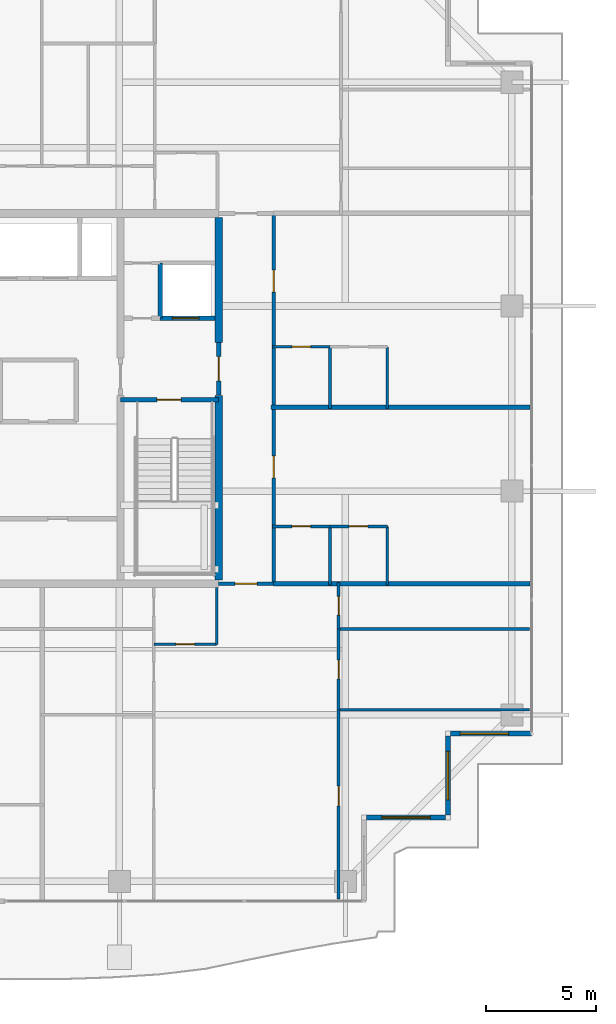
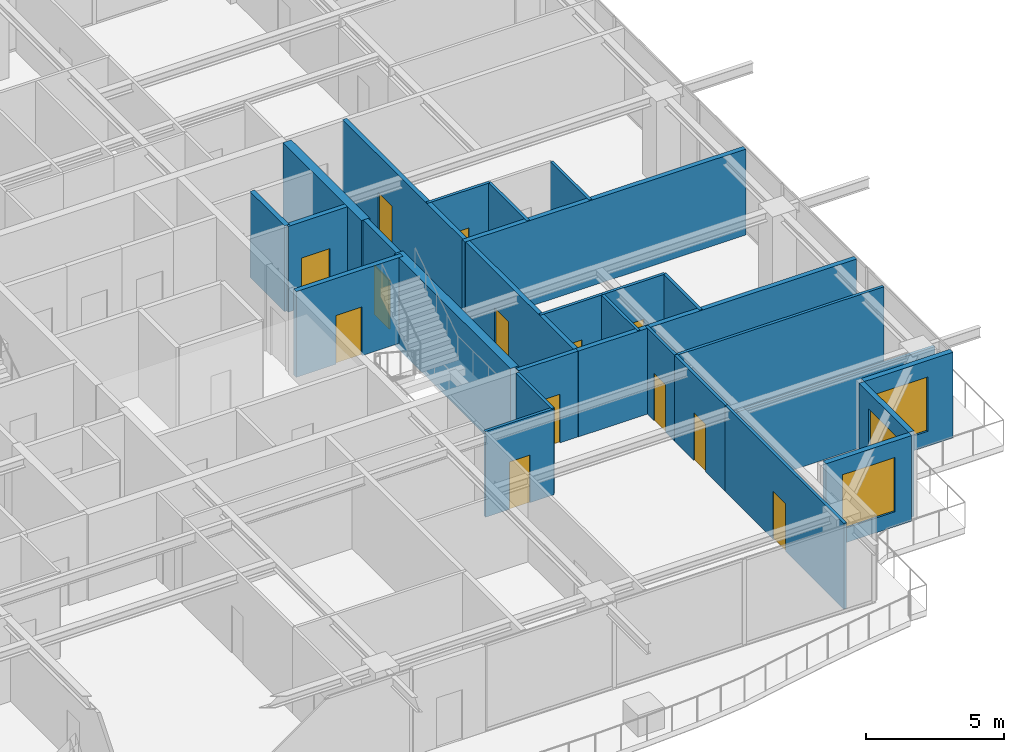
# One storey, part 29 of 38: 27 walls, 13 doors, 3 windows, 16 openings.
"""IFC4 building model written with IfcOpenShell, lengths in metres."""

from ifc_helpers import new_model, si_unit, direction, frame, frame_2d, origin, place, context, subcontext, project, spatial, rectangle, extrude, source, transform, mapped, material, layer, layer_set, type_object, element, fill, save


model = new_model("IFC4")

# Units and contexts
model_context = context("Model", 3, precision=1e-05, world=origin(), true_north=direction((0.0, 1.0)))
body_context = subcontext(model_context, "Body", "Model", "MODEL_VIEW")
ifc_project = project(units=[si_unit("LENGTHUNIT", "METRE"), si_unit("AREAUNIT", "SQUARE_METRE"), si_unit("VOLUMEUNIT", "CUBIC_METRE"), si_unit("PLANEANGLEUNIT", "RADIAN"), si_unit("MASSUNIT", "GRAM", prefix="KILO")], contexts=[model_context])

# Site, building, storey
site_placement = place(None, origin())
site = spatial("IfcSite", under=ifc_project, at=site_placement, CompositionType="ELEMENT")
building_placement = place(site_placement, origin())
building = spatial("IfcBuilding", under=site, at=building_placement, Name="Serunith Strait Residences", CompositionType="ELEMENT")
storey_placement = place(building_placement, frame((0.0, 0.0, 321.800048828125)))
storey = spatial("IfcBuildingStorey", under=building, at=storey_placement, Name="L80", CompositionType="ELEMENT", Elevation=321.800048828125)

# Wall, opening, window
ifc_material_1 = material(Name="Pale-Champagne Aluminium Insulated Panel", Category="aluminium")
ifc_layer_1 = layer(ifc_material_1, 0.219970703125, Name="Pale-Champagne Aluminium Insulated Panel")
ifc_layer_set_1 = layer_set([ifc_layer_1], Name="Pale-Champagne Aluminium Insulated Panel")
wall_type_1 = type_object("IfcWallType", Name="EW-ALUM-220", PredefinedType="ELEMENTEDWALL", material=ifc_layer_set_1)
wall_1_placement = place(storey_placement, frame((48.110107421875, 6.199951171875, 0.0), z_axis=(0.0, 0.0, 1.0), x_axis=(1.0, 0.0, 0.0)))
wall_1 = element("IfcWall", 1, at=wall_1_placement, inside=storey, type_object=wall_type_1, Name="L80 Girih Serrated Corner Wall 03", PredefinedType="ELEMENTEDWALL", context=body_context, shape_type="SweptSolid", body=[
    extrude(rectangle(XDim=3.579833984375, YDim=0.219970703125, at=frame_2d((1.7900390625, 0.0))), origin(), (0.0, 0.0, 1.0), 3.77490234375),
])
opening_1_placement = place(wall_1_placement, frame((0.68994140625, 0.0, 0.64990234375)))
opening_1 = element("IfcOpeningElement", 2, at=opening_1_placement, cuts=wall_1, Name="Opening W-06", PredefinedType="OPENING", context=body_context, shape_type="SweptSolid", body=[
    extrude(rectangle(XDim=2.199951171875, YDim=2.39990234375, at=frame_2d((1.10009765625, 1.199951171875))), frame((0.0, 0.1201171875, 0.0), z_axis=(0.0, -1.0, 0.0), x_axis=(1.0, 0.0, 0.0)), (0.0, 0.0, 1.0), 0.239990234375),
])
ifc_material_2 = material(Name="Crown Penthouse Low-E Operable Window Glass", Category="glass")
window_type = type_object("IfcWindowType", Name="WIN-C6", PartitioningType="TRIPLE_PANEL_VERTICAL", PredefinedType="WINDOW", material=ifc_material_2)
shared_shape_1 = source(origin(), body_context, "Body", "SweptSolid", [
    extrude(rectangle(XDim=2.199951171875, YDim=2.39990234375, at=frame_2d((1.10009765625, 1.199951171875))), frame((0.0, 0.030029296875, 0.0), z_axis=(0.0, -1.0, 0.0), x_axis=(1.0, 0.0, 0.0)), (0.0, 0.0, 1.0), 0.06005859375),
])
window_1_placement = place(opening_1_placement, origin())
window_1 = element("IfcWindow", 3, at=window_1_placement, inside=storey, type_object=window_type, Name="L80 Corner Operable Fritted Window 03", OverallHeight=2.39990234375, OverallWidth=2.199951171875, PartitioningType="SINGLE_PANEL", PredefinedType="WINDOW", context=body_context, shape_type="MappedRepresentation", body=[
    mapped(shared_shape_1, transform((0.0, 0.0, 0.0), scale=1.0)),
])
fill(opening_1, window_1)

wall_2_placement = place(storey_placement, frame((51.800048828125, 6.31005859375, 0.0), z_axis=(0.0, 0.0, 1.0), x_axis=(0.0, 1.0, 0.0)))
wall_2 = element("IfcWall", 4, at=wall_2_placement, inside=storey, type_object=wall_type_1, Name="L80 Girih Serrated Corner Wall 04", PredefinedType="ELEMENTEDWALL", context=body_context, shape_type="SweptSolid", body=[
    extrude(rectangle(XDim=3.579833984375, YDim=0.219970703125, at=frame_2d((1.7900390625, 0.0))), origin(), (0.0, 0.0, 1.0), 3.77490234375),
])
opening_2_placement = place(wall_2_placement, frame((0.68994140625, 0.0, 0.64990234375)))
opening_2 = element("IfcOpeningElement", 5, at=opening_2_placement, cuts=wall_2, Name="Opening W-06", PredefinedType="OPENING", context=body_context, shape_type="SweptSolid", body=[
    extrude(rectangle(XDim=2.199951171875, YDim=2.39990234375, at=frame_2d((1.10009765625, 1.199951171875))), frame((0.0, 0.1201171875, 0.0), z_axis=(0.0, -1.0, 0.0), x_axis=(1.0, 0.0, 0.0)), (0.0, 0.0, 1.0), 0.239990234375),
])
window_2_placement = place(opening_2_placement, origin())
window_2 = element("IfcWindow", 6, at=window_2_placement, inside=storey, type_object=window_type, Name="L80 Corner Operable Fritted Window 04", OverallHeight=2.39990234375, OverallWidth=2.199951171875, PartitioningType="SINGLE_PANEL", PredefinedType="WINDOW", context=body_context, shape_type="MappedRepresentation", body=[
    mapped(shared_shape_1, transform((0.0, 0.0, 0.0), scale=1.0)),
])
fill(opening_2, window_2)

wall_3_placement = place(storey_placement, frame((51.909912109375, 10.0, 0.0), z_axis=(0.0, 0.0, 1.0), x_axis=(1.0, 0.0, 0.0)))
wall_3 = element("IfcWall", 7, at=wall_3_placement, inside=storey, type_object=wall_type_1, Name="L80 Girih Serrated Corner Wall 05", PredefinedType="ELEMENTEDWALL", context=body_context, shape_type="SweptSolid", body=[
    extrude(rectangle(XDim=3.690185546875, YDim=0.219970703125, at=frame_2d((1.84521484375, 0.0))), origin(), (0.0, 0.0, 1.0), 3.77490234375),
])
opening_3_placement = place(wall_3_placement, frame((0.447021484375, 0.0, 0.64990234375)))
opening_3 = element("IfcOpeningElement", 8, at=opening_3_placement, cuts=wall_3, Name="Opening W-06", PredefinedType="OPENING", context=body_context, shape_type="SweptSolid", body=[
    extrude(rectangle(XDim=2.199951171875, YDim=2.39990234375, at=frame_2d((1.10009765625, 1.199951171875))), frame((0.0, 0.1201171875, 0.0), z_axis=(0.0, -1.0, 0.0), x_axis=(1.0, 0.0, 0.0)), (0.0, 0.0, 1.0), 0.239990234375),
])
window_3_placement = place(opening_3_placement, origin())
window_3 = element("IfcWindow", 9, at=window_3_placement, inside=storey, type_object=window_type, Name="L80 Corner Operable Fritted Window 05", OverallHeight=2.39990234375, OverallWidth=2.199951171875, PartitioningType="SINGLE_PANEL", PredefinedType="WINDOW", context=body_context, shape_type="MappedRepresentation", body=[
    mapped(shared_shape_1, transform((0.0, 0.0, 0.0), scale=1.0)),
])
fill(opening_3, window_3)

# Wall, opening, door
ifc_material_3 = material(Name="Fire-rated acoustic gypsum partition")
ifc_layer_2 = layer(ifc_material_3, 0.179931640625, Name="Fire-rated acoustic gypsum partition")
ifc_layer_set_2 = layer_set([ifc_layer_2], Name="Fire-rated acoustic gypsum partition")
wall_type_2 = type_object("IfcWallType", Name="IW-CORR-180", PredefinedType="PARTITIONING", material=ifc_layer_set_2)
wall_4_placement = place(storey_placement, frame((41.402099609375, 16.800048828125, 0.0), z_axis=(0.0, 0.0, 1.0), x_axis=(1.0, 0.0, 0.0)))
wall_4 = element("IfcWall", 10, at=wall_4_placement, inside=storey, type_object=wall_type_2, Name="L80 Partition Wall 029", PredefinedType="PARTITIONING", context=body_context, shape_type="SweptSolid", body=[
    extrude(rectangle(XDim=2.495849609375, YDim=0.179931640625, at=frame_2d((1.248046875, 0.0))), origin(), (0.0, 0.0, 1.0), 3.7900390625),
])
opening_4_placement = place(wall_4_placement, frame((0.748046875, 0.0, 0.0)))
opening_4 = element("IfcOpeningElement", 11, at=opening_4_placement, cuts=wall_4, Name="Opening D-APT1000", PredefinedType="OPENING", context=body_context, shape_type="SweptSolid", body=[
    extrude(rectangle(XDim=1.0, YDim=2.14990234375, at=frame_2d((0.5, 1.074951171875))), frame((0.0, 0.10009765625, 0.0), z_axis=(0.0, -1.0, 0.0), x_axis=(1.0, 0.0, 0.0)), (0.0, 0.0, 1.0), 0.199951171875),
])
ifc_material_4 = material(Name="Solid timber engineered fire door", Category="wood")
door_type_1 = type_object("IfcDoorType", Name="ID-APT-1000", OperationType="NOTDEFINED", PredefinedType="DOOR", material=ifc_material_4)
shared_shape_2 = source(origin(), body_context, "Body", "SweptSolid", [
    extrude(rectangle(XDim=1.0, YDim=2.14990234375, at=frame_2d((0.5, 1.074951171875))), frame((0.0, 0.02490234375, 0.0), z_axis=(0.0, -1.0, 0.0), x_axis=(1.0, 0.0, 0.0)), (0.0, 0.0, 1.0), 0.050048828125),
])
door_1_placement = place(opening_4_placement, origin())
door_1 = element("IfcDoor", 12, at=door_1_placement, inside=storey, type_object=door_type_1, Name="L80 Unit 02 Entrance Door", OperationType="SINGLE_SWING_RIGHT", OverallHeight=2.14990234375, OverallWidth=1.0, PredefinedType="DOOR", context=body_context, shape_type="MappedRepresentation", body=[
    mapped(shared_shape_2, transform((0.0, 0.0, 0.0), scale=1.0)),
])
fill(opening_4, door_1)

# Wall, openings, doors
wall_5_placement = place(storey_placement, frame((43.89990234375, 16.800048828125, 0.0), z_axis=(0.0, 0.0, 1.0), x_axis=(0.0, 1.0, 0.0)))
wall_5 = element("IfcWall", 13, at=wall_5_placement, inside=storey, type_object=wall_type_2, Name="L80 Partition Wall 031", PredefinedType="PARTITIONING", context=body_context, shape_type="SweptSolid", body=[
    extrude(rectangle(XDim=16.800048828125, YDim=0.179931640625, at=frame_2d((8.39990234375, 0.0))), origin(), (0.0, 0.0, 1.0), 3.7900390625),
])
opening_5_placement = place(wall_5_placement, frame((4.802978515625, 0.0, 0.0)))
opening_5 = element("IfcOpeningElement", 14, at=opening_5_placement, cuts=wall_5, Name="Opening D-APT1000", PredefinedType="OPENING", context=body_context, shape_type="SweptSolid", body=[
    extrude(rectangle(XDim=1.0, YDim=2.14990234375, at=frame_2d((0.5, 1.074951171875))), frame((0.0, 0.10009765625, 0.0), z_axis=(0.0, -1.0, 0.0), x_axis=(1.0, 0.0, 0.0)), (0.0, 0.0, 1.0), 0.199951171875),
])
opening_6_placement = place(wall_5_placement, frame((13.22509765625, 0.0, 0.0)))
opening_6 = element("IfcOpeningElement", 15, at=opening_6_placement, cuts=wall_5, Name="Opening D-APT1000", PredefinedType="OPENING", context=body_context, shape_type="SweptSolid", body=[
    extrude(rectangle(XDim=1.0, YDim=2.14990234375, at=frame_2d((0.5, 1.074951171875))), frame((0.0, 0.10009765625, 0.0), z_axis=(0.0, -1.0, 0.0), x_axis=(1.0, 0.0, 0.0)), (0.0, 0.0, 1.0), 0.199951171875),
])
door_2_placement = place(opening_5_placement, origin())
door_2 = element("IfcDoor", 16, at=door_2_placement, inside=storey, type_object=door_type_1, Name="L80 Unit 06 Entrance Door", OperationType="SINGLE_SWING_RIGHT", OverallHeight=2.14990234375, OverallWidth=1.0, PredefinedType="DOOR", context=body_context, shape_type="MappedRepresentation", body=[
    mapped(shared_shape_2, transform((0.0, 0.0, 0.0), scale=1.0)),
])
fill(opening_5, door_2)
door_3_placement = place(opening_6_placement, origin())
door_3 = element("IfcDoor", 17, at=door_3_placement, inside=storey, type_object=door_type_1, Name="L80 Unit 07 Entrance Door", OperationType="SINGLE_SWING_LEFT", OverallHeight=2.14990234375, OverallWidth=1.0, PredefinedType="DOOR", context=body_context, shape_type="MappedRepresentation", body=[
    mapped(shared_shape_2, transform((0.0, 0.0, 0.0), scale=1.0)),
])
fill(opening_6, door_3)

# Wall, opening, door
ifc_material_5 = material(Name="Lightweight steel-stud gypsum partition", Category="steel")
ifc_layer_3 = layer(ifc_material_5, 0.1201171875, Name="Lightweight steel-stud gypsum partition")
ifc_layer_set_3 = layer_set([ifc_layer_3], Name="Lightweight steel-stud gypsum partition")
wall_type_3 = type_object("IfcWallType", Name="IW-PART-120", PredefinedType="PARTITIONING", material=ifc_layer_set_3)
wall_6_placement = place(storey_placement, frame((38.4599609375, 14.050048828125, 0.0), z_axis=(0.0, 0.0, 1.0), x_axis=(1.0, 0.0, 0.0)))
wall_6 = element("IfcWall", 18, at=wall_6_placement, inside=storey, type_object=wall_type_3, Name="L80 Partition Wall 044", PredefinedType="PARTITIONING", context=body_context, shape_type="SweptSolid", body=[
    extrude(rectangle(XDim=2.85009765625, YDim=0.1201171875, at=frame_2d((1.425048828125, 0.0))), origin(), (0.0, 0.0, 1.0), 3.7900390625),
])
opening_7_placement = place(wall_6_placement, frame((1.0, 0.0, 0.0)))
opening_7 = element("IfcOpeningElement", 19, at=opening_7_placement, cuts=wall_6, Name="Opening D-RM850", PredefinedType="OPENING", context=body_context, shape_type="SweptSolid", body=[
    extrude(rectangle(XDim=0.85009765625, YDim=2.10009765625, at=frame_2d((0.425048828125, 1.050048828125))), frame((0.0, 0.070068359375, 0.0), z_axis=(0.0, -1.0, 0.0), x_axis=(1.0, 0.0, 0.0)), (0.0, 0.0, 1.0), 0.14013671875),
])
ifc_material_6 = material(Name="Engineered timber flush study and kitchen door", Category="wood")
door_type_2 = type_object("IfcDoorType", Name="ID-ROOM-850", OperationType="NOTDEFINED", PredefinedType="DOOR", material=ifc_material_6)
shared_shape_3 = source(origin(), body_context, "Body", "SweptSolid", [
    extrude(rectangle(XDim=0.85009765625, YDim=2.10009765625, at=frame_2d((0.425048828125, 1.050048828125))), frame((0.0, 0.02490234375, 0.0), z_axis=(0.0, -1.0, 0.0), x_axis=(1.0, 0.0, 0.0)), (0.0, 0.0, 1.0), 0.050048828125),
])
door_4_placement = place(opening_7_placement, origin())
door_4 = element("IfcDoor", 20, at=door_4_placement, inside=storey, type_object=door_type_2, Name="L80 Kitchen 8002 Door", OperationType="SINGLE_SWING_LEFT", OverallHeight=2.10009765625, OverallWidth=0.85009765625, PredefinedType="DOOR", context=body_context, shape_type="MappedRepresentation", body=[
    mapped(shared_shape_3, transform((0.0, 0.0, 0.0), scale=1.0)),
])
fill(opening_7, door_4)

# Wall
wall_7_placement = place(storey_placement, frame((41.31005859375, 14.050048828125, 0.0), z_axis=(0.0, 0.0, 1.0), x_axis=(0.0, 1.0, 0.0)))
element("IfcWall", 21, at=wall_7_placement, inside=storey, type_object=wall_type_3, Name="L80 Partition Wall 045", PredefinedType="PARTITIONING", context=body_context, shape_type="SweptSolid", body=[
    extrude(rectangle(XDim=2.574951171875, YDim=0.1201171875, at=frame_2d((1.28759765625, 0.0))), origin(), (0.0, 0.0, 1.0), 3.7900390625),
])

# Wall, opening, door
wall_8_placement = place(storey_placement, frame((46.840087890625, 2.4951171875, 0.0), z_axis=(0.0, 0.0, 1.0), x_axis=(0.0, 1.0, 0.0)))
wall_8 = element("IfcWall", 22, at=wall_8_placement, inside=storey, type_object=wall_type_3, Name="L80 Partition Wall 051", PredefinedType="PARTITIONING", context=body_context, shape_type="SweptSolid", body=[
    extrude(rectangle(XDim=8.5849609375, YDim=0.1201171875, at=frame_2d((4.29248046875, 0.0))), origin(), (0.0, 0.0, 1.0), 3.7900390625),
])
opening_8_placement = place(wall_8_placement, frame((4.22705078125, 0.0, 0.0)))
opening_8 = element("IfcOpeningElement", 23, at=opening_8_placement, cuts=wall_8, Name="Opening D-RM900", PredefinedType="OPENING", context=body_context, shape_type="SweptSolid", body=[
    extrude(rectangle(XDim=0.89990234375, YDim=2.10009765625, at=frame_2d((0.449951171875, 1.050048828125))), frame((0.0, 0.070068359375, 0.0), z_axis=(0.0, -1.0, 0.0), x_axis=(1.0, 0.0, 0.0)), (0.0, 0.0, 1.0), 0.14013671875),
])
ifc_material_7 = material(Name="Engineered timber flush bedroom door", Category="wood")
door_type_3 = type_object("IfcDoorType", Name="ID-ROOM-900", OperationType="NOTDEFINED", PredefinedType="DOOR", material=ifc_material_7)
shared_shape_4 = source(origin(), body_context, "Body", "SweptSolid", [
    extrude(rectangle(XDim=0.89990234375, YDim=2.10009765625, at=frame_2d((0.449951171875, 1.050048828125))), frame((0.0, 0.02490234375, 0.0), z_axis=(0.0, -1.0, 0.0), x_axis=(1.0, 0.0, 0.0)), (0.0, 0.0, 1.0), 0.050048828125),
])
door_5_placement = place(opening_8_placement, origin())
door_5 = element("IfcDoor", 24, at=door_5_placement, inside=storey, type_object=door_type_3, Name="L80 Bedroom 2 8002 Door", OperationType="SINGLE_SWING_LEFT", OverallHeight=2.10009765625, OverallWidth=0.89990234375, PredefinedType="DOOR", context=body_context, shape_type="MappedRepresentation", body=[
    mapped(shared_shape_4, transform((0.0, 0.0, 0.0), scale=1.0)),
])
fill(opening_8, door_5)

# Walls
wall_9_placement = place(storey_placement, frame((46.840087890625, 11.080078125, 0.0), z_axis=(0.0, 0.0, 1.0), x_axis=(1.0, 0.0, 0.0)))
element("IfcWall", 25, at=wall_9_placement, inside=storey, type_object=wall_type_3, Name="L80 Partition Wall 052", PredefinedType="PARTITIONING", context=body_context, shape_type="SweptSolid", body=[
    extrude(rectangle(XDim=8.664794921875, YDim=0.1201171875, at=frame_2d((4.33251953125, 0.0))), origin(), (0.0, 0.0, 1.0), 3.3720703125),
])
wall_10_placement = place(storey_placement, frame((46.840087890625, 14.75, 0.0), z_axis=(0.0, 0.0, 1.0), x_axis=(1.0, 0.0, 0.0)))
element("IfcWall", 26, at=wall_10_placement, inside=storey, type_object=wall_type_3, Name="L80 Partition Wall 053", PredefinedType="PARTITIONING", context=body_context, shape_type="SweptSolid", body=[
    extrude(rectangle(XDim=8.664794921875, YDim=0.1201171875, at=frame_2d((4.33251953125, 0.0))), origin(), (0.0, 0.0, 1.0), 3.7900390625),
])

# Wall, opening, door
wall_11_placement = place(storey_placement, frame((46.840087890625, 11.08203125, 0.0), z_axis=(0.0, 0.0, 1.0), x_axis=(0.0, 1.0, 0.0)))
wall_11 = element("IfcWall", 27, at=wall_11_placement, inside=storey, type_object=wall_type_3, Name="L80 Partition Wall 054", PredefinedType="PARTITIONING", context=body_context, shape_type="SweptSolid", body=[
    extrude(rectangle(XDim=3.66796875, YDim=0.1201171875, at=frame_2d((1.833984375, 0.0))), origin(), (0.0, 0.0, 1.0), 3.7900390625),
])
opening_9_placement = place(wall_11_placement, frame((1.408935546875, 0.0, 0.0)))
opening_9 = element("IfcOpeningElement", 28, at=opening_9_placement, cuts=wall_11, Name="Opening D-RM850", PredefinedType="OPENING", context=body_context, shape_type="SweptSolid", body=[
    extrude(rectangle(XDim=0.85009765625, YDim=2.10009765625, at=frame_2d((0.425048828125, 1.050048828125))), frame((0.0, 0.070068359375, 0.0), z_axis=(0.0, -1.0, 0.0), x_axis=(1.0, 0.0, 0.0)), (0.0, 0.0, 1.0), 0.14013671875),
])
door_6_placement = place(opening_9_placement, origin())
door_6 = element("IfcDoor", 29, at=door_6_placement, inside=storey, type_object=door_type_2, Name="L80 Walk-in Wardrobe 8002 Door", OperationType="SINGLE_SWING_RIGHT", OverallHeight=2.10009765625, OverallWidth=0.85009765625, PredefinedType="DOOR", context=body_context, shape_type="MappedRepresentation", body=[
    mapped(shared_shape_3, transform((0.0, 0.0, 0.0), scale=1.0)),
])
fill(opening_9, door_6)

wall_12_placement = place(storey_placement, frame((46.840087890625, 14.751953125, 0.0), z_axis=(0.0, 0.0, 1.0), x_axis=(0.0, 1.0, 0.0)))
wall_12 = element("IfcWall", 30, at=wall_12_placement, inside=storey, type_object=wall_type_3, Name="L80 Partition Wall 055", PredefinedType="PARTITIONING", context=body_context, shape_type="SweptSolid", body=[
    extrude(rectangle(XDim=2.108154296875, YDim=0.1201171875, at=frame_2d((1.05419921875, 0.0))), origin(), (0.0, 0.0, 1.0), 3.7900390625),
])
opening_10_placement = place(wall_12_placement, frame((0.62890625, 0.0, 0.0)))
opening_10 = element("IfcOpeningElement", 31, at=opening_10_placement, cuts=wall_12, Name="Opening D-BTH850", PredefinedType="OPENING", context=body_context, shape_type="SweptSolid", body=[
    extrude(rectangle(XDim=0.85009765625, YDim=2.10009765625, at=frame_2d((0.425048828125, 1.050048828125))), frame((0.0, 0.070068359375, 0.0), z_axis=(0.0, -1.0, 0.0), x_axis=(1.0, 0.0, 0.0)), (0.0, 0.0, 1.0), 0.14013671875),
])
ifc_material_8 = material(Name="Moisture-resistant timber bathroom door", Category="wood")
door_type_4 = type_object("IfcDoorType", Name="ID-BATH-850", OperationType="NOTDEFINED", PredefinedType="DOOR", material=ifc_material_8)
door_7_placement = place(opening_10_placement, origin())
door_7 = element("IfcDoor", 32, at=door_7_placement, inside=storey, type_object=door_type_4, Name="L80 Bathroom 8002 Door", OperationType="SINGLE_SWING_LEFT", OverallHeight=2.10009765625, OverallWidth=0.85009765625, PredefinedType="DOOR", context=body_context, shape_type="MappedRepresentation", body=[
    mapped(shared_shape_3, transform((0.0, 0.0, 0.0), scale=1.0)),
])
fill(opening_10, door_7)

wall_13_placement = place(storey_placement, frame((49.050048828125, 19.39990234375, 0.0), z_axis=(0.0, 0.0, 1.0), x_axis=(-1.0, 0.0, 0.0)))
wall_13 = element("IfcWall", 33, at=wall_13_placement, inside=storey, type_object=wall_type_3, Name="L80 Partition Wall 093", PredefinedType="PARTITIONING", context=body_context, shape_type="SweptSolid", body=[
    extrude(rectangle(XDim=2.60009765625, YDim=0.1201171875, at=frame_2d((1.300048828125, 0.0))), origin(), (0.0, 0.0, 1.0), 3.7900390625),
])
opening_11_placement = place(wall_13_placement, frame((0.875, 0.0, 0.0)))
opening_11 = element("IfcOpeningElement", 34, at=opening_11_placement, cuts=wall_13, Name="Opening D-RM850", PredefinedType="OPENING", context=body_context, shape_type="SweptSolid", body=[
    extrude(rectangle(XDim=0.85009765625, YDim=2.10009765625, at=frame_2d((0.425048828125, 1.050048828125))), frame((0.0, 0.070068359375, 0.0), z_axis=(0.0, -1.0, 0.0), x_axis=(1.0, 0.0, 0.0)), (0.0, 0.0, 1.0), 0.14013671875),
])
door_8_placement = place(opening_11_placement, origin())
door_8 = element("IfcDoor", 35, at=door_8_placement, inside=storey, type_object=door_type_2, Name="L80 Kitchen 8006 Door", OperationType="SINGLE_SWING_LEFT", OverallHeight=2.10009765625, OverallWidth=0.85009765625, PredefinedType="DOOR", context=body_context, shape_type="MappedRepresentation", body=[
    mapped(shared_shape_3, transform((0.0, 0.0, 0.0), scale=1.0)),
])
fill(opening_11, door_8)

wall_14_placement = place(storey_placement, frame((46.447998046875, 19.39990234375, 0.0), z_axis=(0.0, 0.0, 1.0), x_axis=(-1.0, 0.0, 0.0)))
wall_14 = element("IfcWall", 36, at=wall_14_placement, inside=storey, type_object=wall_type_3, Name="L80 Partition Wall 094", PredefinedType="PARTITIONING", context=body_context, shape_type="SweptSolid", body=[
    extrude(rectangle(XDim=2.60791015625, YDim=0.1201171875, at=frame_2d((1.303955078125, 0.0))), origin(), (0.0, 0.0, 1.0), 3.7900390625),
])
opening_12_placement = place(wall_14_placement, frame((0.87890625, 0.0, 0.0)))
opening_12 = element("IfcOpeningElement", 37, at=opening_12_placement, cuts=wall_14, Name="Opening D-BTH850", PredefinedType="OPENING", context=body_context, shape_type="SweptSolid", body=[
    extrude(rectangle(XDim=0.85009765625, YDim=2.10009765625, at=frame_2d((0.425048828125, 1.050048828125))), frame((0.0, 0.070068359375, 0.0), z_axis=(0.0, -1.0, 0.0), x_axis=(1.0, 0.0, 0.0)), (0.0, 0.0, 1.0), 0.14013671875),
])
door_9_placement = place(opening_12_placement, origin())
door_9 = element("IfcDoor", 38, at=door_9_placement, inside=storey, type_object=door_type_4, Name="L80 Bathroom 8006 Door", OperationType="SINGLE_SWING_RIGHT", OverallHeight=2.10009765625, OverallWidth=0.85009765625, PredefinedType="DOOR", context=body_context, shape_type="MappedRepresentation", body=[
    mapped(shared_shape_3, transform((0.0, 0.0, 0.0), scale=1.0)),
])
fill(opening_12, door_9)

# Walls
for number, where, z_axis, x_axis, name in (
    (39, (46.449951171875, 16.739990234375, 0.0), (0.0, 0.0, 1.0), (0.0, 1.0, 0.0), "L80 Partition Wall 095"),
    (40, (49.050048828125, 16.739990234375, 0.0), (0.0, 0.0, 1.0), (0.0, 1.0, 0.0), "L80 Partition Wall 096"),
):
    element("IfcWall", number, at=place(storey_placement, frame(where, z_axis=z_axis, x_axis=x_axis)), inside=storey, type_object=wall_type_3, Name=name, PredefinedType="PARTITIONING", context=body_context, shape_type="SweptSolid", body=[
        extrude(rectangle(XDim=2.659912109375, YDim=0.1201171875, at=frame_2d((1.330078125, 0.0))), origin(), (0.0, 0.0, 1.0), 3.7900390625),
    ])

# Wall, opening, door
wall_15_placement = place(storey_placement, frame((46.447998046875, 27.550048828125, 0.0), z_axis=(0.0, 0.0, 1.0), x_axis=(-1.0, 0.0, 0.0)))
wall_15 = element("IfcWall", 41, at=wall_15_placement, inside=storey, type_object=wall_type_3, Name="L80 Partition Wall 098", PredefinedType="PARTITIONING", context=body_context, shape_type="SweptSolid", body=[
    extrude(rectangle(XDim=2.60791015625, YDim=0.1201171875, at=frame_2d((1.303955078125, 0.0))), origin(), (0.0, 0.0, 1.0), 3.7900390625),
])
opening_13_placement = place(wall_15_placement, frame((0.87890625, 0.0, 0.0)))
opening_13 = element("IfcOpeningElement", 42, at=opening_13_placement, cuts=wall_15, Name="Opening D-BTH850", PredefinedType="OPENING", context=body_context, shape_type="SweptSolid", body=[
    extrude(rectangle(XDim=0.85009765625, YDim=2.10009765625, at=frame_2d((0.425048828125, 1.050048828125))), frame((0.0, 0.070068359375, 0.0), z_axis=(0.0, -1.0, 0.0), x_axis=(1.0, 0.0, 0.0)), (0.0, 0.0, 1.0), 0.14013671875),
])
door_10_placement = place(opening_13_placement, origin())
door_10 = element("IfcDoor", 43, at=door_10_placement, inside=storey, type_object=door_type_4, Name="L80 Bathroom 8007 Door", OperationType="SINGLE_SWING_RIGHT", OverallHeight=2.10009765625, OverallWidth=0.85009765625, PredefinedType="DOOR", context=body_context, shape_type="MappedRepresentation", body=[
    mapped(shared_shape_3, transform((0.0, 0.0, 0.0), scale=1.0)),
])
fill(opening_13, door_10)

# Walls
for number, where, z_axis, x_axis, name in (
    (44, (46.449951171875, 24.739990234375, 0.0), (0.0, 0.0, 1.0), (0.0, 1.0, 0.0), "L80 Partition Wall 099"),
    (45, (49.050048828125, 24.739990234375, 0.0), (0.0, 0.0, 1.0), (0.0, 1.0, 0.0), "L80 Partition Wall 100"),
):
    element("IfcWall", number, at=place(storey_placement, frame(where, z_axis=z_axis, x_axis=x_axis)), inside=storey, type_object=wall_type_3, Name=name, PredefinedType="PARTITIONING", context=body_context, shape_type="SweptSolid", body=[
        extrude(rectangle(XDim=2.81005859375, YDim=0.1201171875, at=frame_2d((1.405029296875, 0.0))), origin(), (0.0, 0.0, 1.0), 3.7900390625),
    ])
ifc_material_9 = material(Name="Twin-stud acoustic gypsum board partition")
ifc_layer_4 = layer(ifc_material_9, 0.199951171875, Name="Twin-stud acoustic gypsum board partition")
ifc_layer_set_4 = layer_set([ifc_layer_4], Name="Twin-stud acoustic gypsum board partition")
wall_type_4 = type_object("IfcWallType", Name="IW-PARTY-200", PredefinedType="PARTITIONING", material=ifc_layer_set_4)
wall_16_placement = place(storey_placement, frame((43.780029296875, 24.800048828125, 0.0), z_axis=(0.0, 0.0, 1.0), x_axis=(1.0, 0.0, 0.0)))
element("IfcWall", 46, at=wall_16_placement, inside=storey, type_object=wall_type_4, Name="L80 Partition Wall 021", PredefinedType="PARTITIONING", context=body_context, shape_type="SweptSolid", body=[
    extrude(rectangle(XDim=11.738037109375, YDim=0.199951171875, at=frame_2d((5.869140625, 0.0))), origin(), (0.0, 0.0, 1.0), 3.7900390625),
])
wall_17_placement = place(storey_placement, frame((43.89990234375, 16.800048828125, 0.0), z_axis=(0.0, 0.0, 1.0), x_axis=(1.0, 0.0, 0.0)))
element("IfcWall", 47, at=wall_17_placement, inside=storey, type_object=wall_type_4, Name="L80 Partition Wall 023", PredefinedType="PARTITIONING", context=body_context, shape_type="SweptSolid", body=[
    extrude(rectangle(XDim=11.6181640625, YDim=0.199951171875, at=frame_2d((5.80908203125, 0.0))), origin(), (0.0, 0.0, 1.0), 3.7900390625),
])

# Wall, opening, door
ifc_material_10 = material(Name="Autoclaved aerated concrete blockwork", Category="masonry")
ifc_layer_5 = layer(ifc_material_10, 0.199951171875, Name="Autoclaved aerated concrete blockwork")
ifc_layer_set_5 = layer_set([ifc_layer_5], Name="Autoclaved aerated concrete blockwork")
wall_type_5 = type_object("IfcWallType", Name="IW-SHAFT-200", PredefinedType="STANDARD", material=ifc_layer_set_5)
wall_18_placement = place(storey_placement, frame((36.949951171875, 25.14990234375, 0.0), z_axis=(0.0, 0.0, 1.0), x_axis=(1.0, 0.0, 0.0)))
wall_18 = element("IfcWall", 48, at=wall_18_placement, inside=storey, type_object=wall_type_5, Name="L80 ST-2 North Shaft Wall", PredefinedType="STANDARD", context=body_context, shape_type="SweptSolid", body=[
    extrude(rectangle(XDim=4.449951171875, YDim=0.199951171875, at=frame_2d((2.22509765625, 0.0))), origin(), (0.0, 0.0, 1.0), 3.7900390625),
])
opening_14_placement = place(wall_18_placement, frame((1.64990234375, 0.0, 0.0)))
opening_14 = element("IfcOpeningElement", 49, at=opening_14_placement, cuts=wall_18, Name="Opening FD-1100", PredefinedType="OPENING", context=body_context, shape_type="SweptSolid", body=[
    extrude(rectangle(XDim=1.10009765625, YDim=2.14990234375, at=frame_2d((0.550048828125, 1.074951171875))), frame((0.0, 0.10986328125, 0.0), z_axis=(0.0, -1.0, 0.0), x_axis=(1.0, 0.0, 0.0)), (0.0, 0.0, 1.0), 0.219970703125),
])
ifc_material_11 = material(Name="Galvanised steel fire door leaf", Category="steel")
door_type_5 = type_object("IfcDoorType", Name="FD-STAIR-1100", OperationType="NOTDEFINED", PredefinedType="DOOR", material=ifc_material_11)
shared_shape_5 = source(origin(), body_context, "Body", "SweptSolid", [
    extrude(rectangle(XDim=1.10009765625, YDim=2.14990234375, at=frame_2d((0.550048828125, 1.074951171875))), frame((0.0, 0.02490234375, 0.0), z_axis=(0.0, -1.0, 0.0), x_axis=(1.0, 0.0, 0.0)), (0.0, 0.0, 1.0), 0.050048828125),
])
door_11_placement = place(opening_14_placement, origin())
door_11 = element("IfcDoor", 50, at=door_11_placement, inside=storey, type_object=door_type_5, Name="L80 ST-2 Escape Stair Door", OperationType="SINGLE_SWING_LEFT", OverallHeight=2.14990234375, OverallWidth=1.10009765625, PredefinedType="DOOR", context=body_context, shape_type="MappedRepresentation", body=[
    mapped(shared_shape_5, transform((0.0, 0.0, 0.0), scale=1.0)),
])
fill(opening_14, door_11)

wall_19_placement = place(storey_placement, frame((38.75, 28.85009765625, 0.0), z_axis=(0.0, 0.0, 1.0), x_axis=(1.0, 0.0, 0.0)))
wall_19 = element("IfcWall", 51, at=wall_19_placement, inside=storey, type_object=wall_type_5, Name="L80 FL-2 South Shaft Wall", PredefinedType="STANDARD", context=body_context, shape_type="SweptSolid", body=[
    extrude(rectangle(XDim=2.47509765625, YDim=0.199951171875, at=frame_2d((1.237548828125, 0.0))), origin(), (0.0, 0.0, 1.0), 3.7900390625),
])
opening_15_placement = place(wall_19_placement, frame((0.550048828125, 0.0, 0.0)))
opening_15 = element("IfcOpeningElement", 52, at=opening_15_placement, cuts=wall_19, Name="Opening LD-FF1200", PredefinedType="OPENING", context=body_context, shape_type="SweptSolid", body=[
    extrude(rectangle(XDim=1.199951171875, YDim=2.199951171875, at=frame_2d((0.60009765625, 1.10009765625))), frame((0.0, 0.10986328125, 0.0), z_axis=(0.0, -1.0, 0.0), x_axis=(1.0, 0.0, 0.0)), (0.0, 0.0, 1.0), 0.219970703125),
])
ifc_material_12 = material(Name="Brushed stainless steel landing door", Category="steel")
door_type_6 = type_object("IfcDoorType", Name="LD-FF-1200", OperationType="DOUBLE_DOOR_SLIDING", PredefinedType="DOOR", material=ifc_material_12)
shared_shape_6 = source(origin(), body_context, "Body", "SweptSolid", [
    extrude(rectangle(XDim=1.199951171875, YDim=2.199951171875, at=frame_2d((0.60009765625, 1.10009765625))), frame((0.0, 0.02490234375, 0.0), z_axis=(0.0, -1.0, 0.0), x_axis=(1.0, 0.0, 0.0)), (0.0, 0.0, 1.0), 0.050048828125),
])
door_12_placement = place(opening_15_placement, origin())
door_12 = element("IfcDoor", 53, at=door_12_placement, inside=storey, type_object=door_type_6, Name="L80 FL-2 Landing Door", OperationType="DOUBLE_DOOR_SLIDING", OverallHeight=2.199951171875, OverallWidth=1.199951171875, PredefinedType="DOOR", context=body_context, shape_type="MappedRepresentation", body=[
    mapped(shared_shape_6, transform((0.0, 0.0, 0.0), scale=1.0)),
])
fill(opening_15, door_12)

# Wall
wall_20_placement = place(storey_placement, frame((38.75, 28.85009765625, 0.0), z_axis=(0.0, 0.0, 1.0), x_axis=(0.0, 1.0, 0.0)))
element("IfcWall", 54, at=wall_20_placement, inside=storey, type_object=wall_type_5, Name="L80 Partition Wall 004", PredefinedType="STANDARD", context=body_context, shape_type="SweptSolid", body=[
    extrude(rectangle(XDim=2.5, YDim=0.199951171875, at=frame_2d((1.25, 0.0))), origin(), (0.0, 0.0, 1.0), 3.7900390625),
])

# Wall, opening, door
wall_21_placement = place(storey_placement, frame((41.39990234375, 25.35205078125, 0.0), z_axis=(0.0, 0.0, 1.0), x_axis=(0.0, 1.0, 0.0)))
wall_21 = element("IfcWall", 55, at=wall_21_placement, inside=storey, type_object=wall_type_5, Name="L80 Partition Wall 008", PredefinedType="STANDARD", context=body_context, shape_type="SweptSolid", body=[
    extrude(rectangle(XDim=2.39599609375, YDim=0.199951171875, at=frame_2d((1.197998046875, 0.0))), origin(), (0.0, 0.0, 1.0), 3.7900390625),
])
opening_16_placement = place(wall_21_placement, frame((0.64794921875, 0.0, 0.0)))
opening_16 = element("IfcOpeningElement", 56, at=opening_16_placement, cuts=wall_21, Name="Opening FD-FFL", PredefinedType="OPENING", context=body_context, shape_type="SweptSolid", body=[
    extrude(rectangle(XDim=1.10009765625, YDim=2.14990234375, at=frame_2d((0.550048828125, 1.074951171875))), frame((0.0, 0.10986328125, 0.0), z_axis=(0.0, -1.0, 0.0), x_axis=(1.0, 0.0, 0.0)), (0.0, 0.0, 1.0), 0.219970703125),
])
ifc_material_13 = material(Name="Glazed steel smoke-lobby fire door", Category="steel")
door_type_7 = type_object("IfcDoorType", Name="FD-FFL-1100", OperationType="NOTDEFINED", PredefinedType="DOOR", material=ifc_material_13)
door_13_placement = place(opening_16_placement, origin())
door_13 = element("IfcDoor", 57, at=door_13_placement, inside=storey, type_object=door_type_7, Name="L80 FFL-2 Corridor Fire Door", OperationType="SINGLE_SWING_RIGHT", OverallHeight=2.14990234375, OverallWidth=1.10009765625, PredefinedType="DOOR", context=body_context, shape_type="MappedRepresentation", body=[
    mapped(shared_shape_5, transform((0.0, 0.0, 0.0), scale=1.0)),
])
fill(opening_16, door_13)

# Walls
ifc_material_14 = material(Name="Concrete C60/75", Category="concrete")
ifc_layer_6 = layer(ifc_material_14, 0.35009765625, Name="Concrete C60/75")
ifc_layer_set_6 = layer_set([ifc_layer_6], Name="Concrete C60/75")
wall_type_6 = type_object("IfcWallType", Name="SW-350-C60", PredefinedType="SHEAR", material=ifc_layer_set_6)
wall_22_placement = place(storey_placement, frame((41.39990234375, 16.97509765625, -0.260009765625), z_axis=(0.0, 0.0, 1.0), x_axis=(0.0, 1.0, 0.0)))
element("IfcWall", 58, at=wall_22_placement, inside=storey, type_object=wall_type_6, Name="L80 Core East Shear Wall South Pier", PredefinedType="SHEAR", context=body_context, shape_type="SweptSolid", body=[
    extrude(rectangle(XDim=8.375, YDim=0.35009765625, at=frame_2d((4.1875, 0.0))), origin(), (0.0, 0.0, 1.0), 4.0478515625),
])
wall_23_placement = place(storey_placement, frame((41.39990234375, 27.75, -0.260009765625), z_axis=(0.0, 0.0, 1.0), x_axis=(0.0, 1.0, 0.0)))
element("IfcWall", 59, at=wall_23_placement, inside=storey, type_object=wall_type_6, Name="L80 Core East Shear Wall North Pier", PredefinedType="SHEAR", context=body_context, shape_type="SweptSolid", body=[
    extrude(rectangle(XDim=5.675048828125, YDim=0.35009765625, at=frame_2d((2.83740234375, 0.0))), origin(), (0.0, 0.0, 1.0), 4.0478515625),
])

save(model, "model.ifc")
